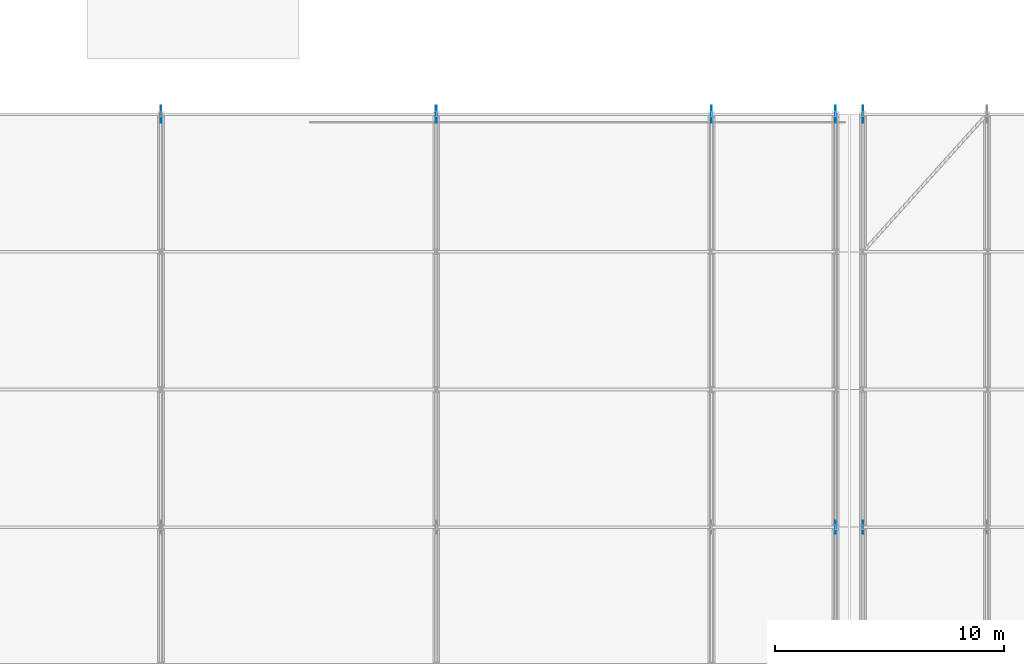
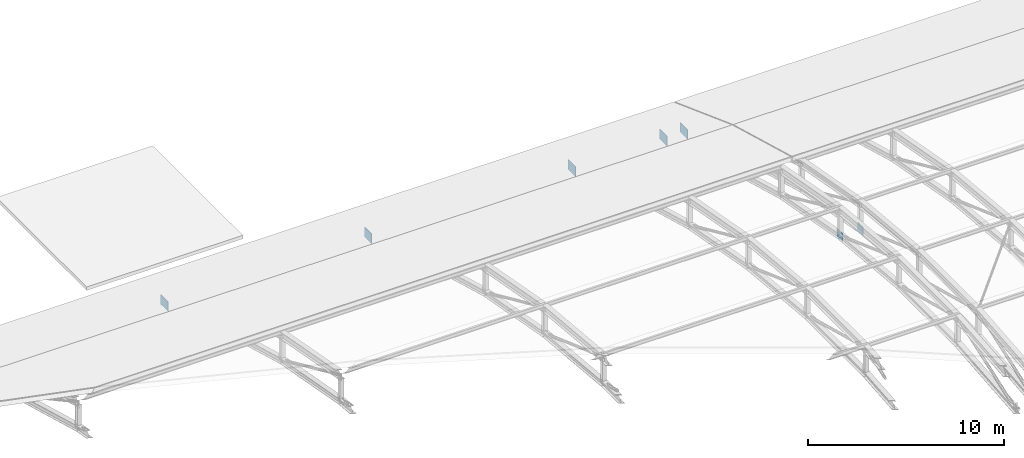
# One storey, part 174 of 204: 7 plates.
"""IFC4 building model written with IfcOpenShell, lengths in metres."""

from ifc_helpers import new_model, si_unit, direction, frame, origin, origin_2d, place, context, subcontext, project, spatial, rectangle, extrude, material, layer, layer_set, type_object, element, save


model = new_model("IFC4")

# Units and contexts
model_context = context("Model", 3, precision=1e-05, world=origin(), true_north=direction((0.0, 1.0)))
body_context = subcontext(model_context, "Body", "Model", "MODEL_VIEW")
ifc_project = project(units=[si_unit("LENGTHUNIT", "METRE"), si_unit("AREAUNIT", "SQUARE_METRE"), si_unit("VOLUMEUNIT", "CUBIC_METRE"), si_unit("PLANEANGLEUNIT", "RADIAN"), si_unit("MASSUNIT", "GRAM", prefix="KILO")], contexts=[model_context])

# Site, building, storey
site_placement = place(None, origin())
site = spatial("IfcSite", under=ifc_project, at=site_placement, CompositionType="ELEMENT")
building_placement = place(site_placement, origin())
building = spatial("IfcBuilding", under=site, at=building_placement, Name="Zilviju Railside Exhibition Hall", CompositionType="ELEMENT")
storey_placement = place(building_placement, frame((0.0, 0.0, 21.0)))
storey = spatial("IfcBuildingStorey", under=building, at=storey_placement, Name="RF", CompositionType="ELEMENT", Elevation=21.0)

# Plates
ifc_material = material(Name="Steel S355ML", Category="steel")
ifc_layer_1 = layer(ifc_material, 0.028076171875)
ifc_layer_set_1 = layer_set([ifc_layer_1], Name="Steel S355ML")
plate_type_1 = type_object("IfcPlateType", Name="PLATE-GP-28", PredefinedType="SHEET", material=ifc_layer_set_1)
for number, where, z_axis, x_axis, name in (
    (1, (125.39990234375, 36.0, -3.072265625), (0.0, 0.0, 1.0), (1.0, 0.0, 0.0), "V1 Truss Node Gusset Plate X=125.4 N6"),
    (2, (126.60009765625, 36.0, -3.072265625), (0.0, 0.0, 1.0), (1.0, 0.0, 0.0), "V1 Truss Node Gusset Plate X=126.6 N6"),
):
    element("IfcPlate", number, at=place(storey_placement, frame(where, z_axis=z_axis, x_axis=x_axis)), inside=storey, type_object=plate_type_1, Name=name, PredefinedType="SHEET", context=body_context, shape_type="SweptSolid", body=[
        extrude(rectangle(XDim=0.028076171875, YDim=0.550048828125, at=origin_2d()), origin(), (0.0, 0.0, 1.0), 0.5),
    ])
ifc_layer_2 = layer(ifc_material, 0.031982421875)
ifc_layer_set_2 = layer_set([ifc_layer_2], Name="Steel S355ML")
plate_type_2 = type_object("IfcPlateType", Name="PLATE-GP-32", PredefinedType="SHEET", material=ifc_layer_set_2)
for number, where, z_axis, x_axis, name in (
    (3, (96.0, 54.0, -7.949951171875), (0.0, 0.0, 1.0), (1.0, 0.0, 0.0), "V1 Arch Pin-Shoe Gusset Plate X=96.0"),
    (4, (108.0, 54.0, -7.949951171875), (0.0, 0.0, 1.0), (1.0, 0.0, 0.0), "V1 Arch Pin-Shoe Gusset Plate X=108.0"),
    (5, (120.0, 54.0, -7.949951171875), (0.0, 0.0, 1.0), (1.0, 0.0, 0.0), "V1 Arch Pin-Shoe Gusset Plate X=120.0"),
    (6, (125.39990234375, 54.0, -7.949951171875), (0.0, 0.0, 1.0), (1.0, 0.0, 0.0), "V1 Arch Pin-Shoe Gusset Plate X=125.4"),
    (7, (126.60009765625, 54.0, -7.949951171875), (0.0, 0.0, 1.0), (1.0, 0.0, 0.0), "V1 Arch Pin-Shoe Gusset Plate X=126.6"),
):
    element("IfcPlate", number, at=place(storey_placement, frame(where, z_axis=z_axis, x_axis=x_axis)), inside=storey, type_object=plate_type_2, Name=name, PredefinedType="SHEET", context=body_context, shape_type="SweptSolid", body=[
        extrude(rectangle(XDim=0.031982421875, YDim=0.75, at=origin_2d()), origin(), (0.0, 0.0, 1.0), 0.60009765625),
    ])

save(model, "model.ifc")
